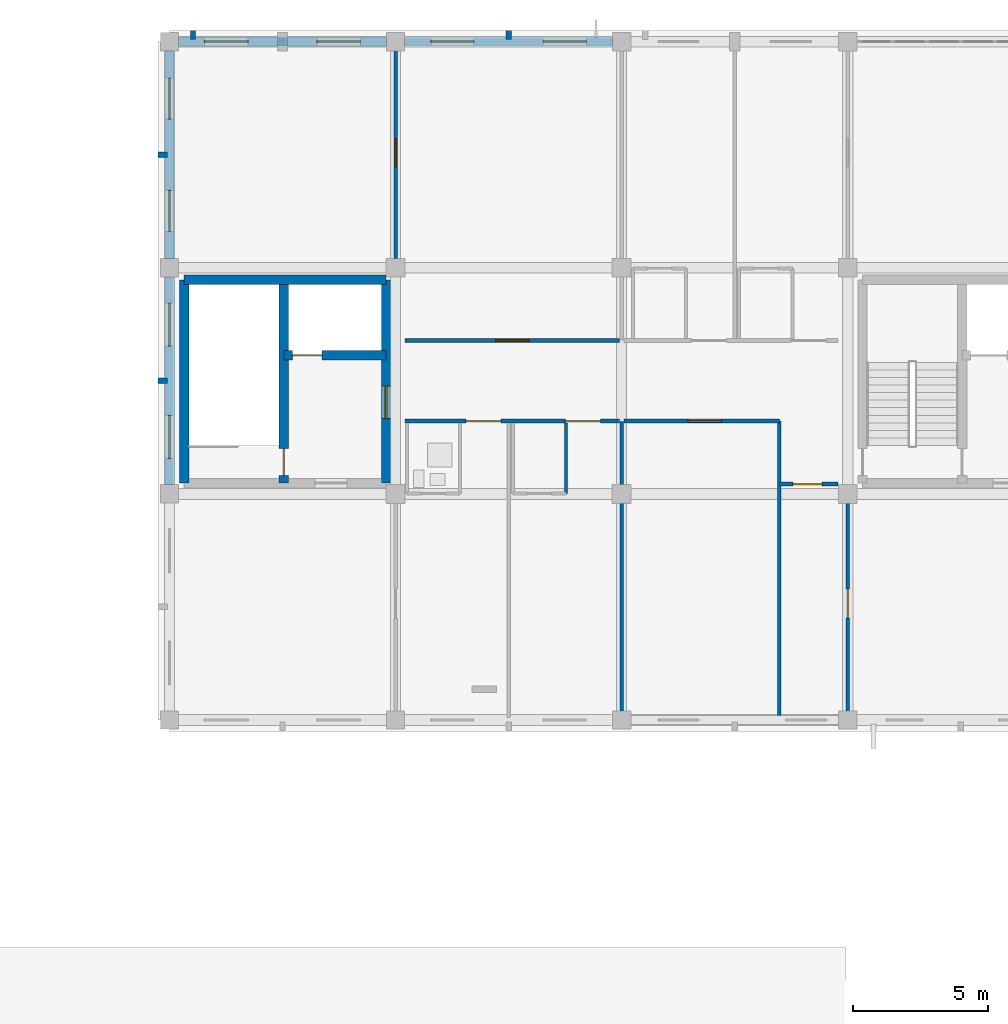
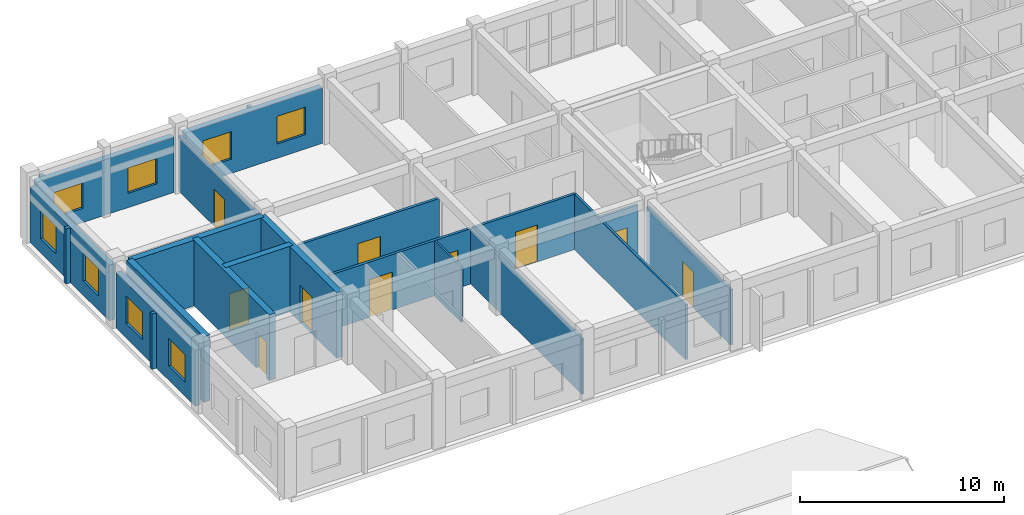
# One storey, part 116 of 140: 22 walls, 10 doors, 8 windows, 18 openings.
"""IFC4 building model written with IfcOpenShell, lengths in metres."""

from ifc_helpers import new_model, si_unit, direction, frame, frame_2d, origin, place, context, subcontext, project, spatial, rectangle, extrude, material, layer, layer_set, type_object, element, fill, save


model = new_model("IFC4")

# Units and contexts
model_context = context("Model", 3, precision=1e-05, world=origin(), true_north=direction((0.0, 1.0)))
body_context = subcontext(model_context, "Body", "Model", "MODEL_VIEW")
ifc_project = project(units=[si_unit("LENGTHUNIT", "METRE"), si_unit("AREAUNIT", "SQUARE_METRE"), si_unit("VOLUMEUNIT", "CUBIC_METRE"), si_unit("PLANEANGLEUNIT", "RADIAN"), si_unit("MASSUNIT", "GRAM", prefix="KILO")], contexts=[model_context])

# Site, building, storey
site_placement = place(None, origin())
site = spatial("IfcSite", under=ifc_project, at=site_placement, CompositionType="ELEMENT")
building_placement = place(site_placement, origin())
building = spatial("IfcBuilding", under=site, at=building_placement, Name="Trelvath General Hospital", CompositionType="ELEMENT")
storey_placement = place(building_placement, frame((0.0, 0.0, 16.199951171875)))
storey = spatial("IfcBuildingStorey", under=building, at=storey_placement, Name="L04", CompositionType="ELEMENT", Elevation=16.199951171875)

# Walls
ifc_material_1 = material(Name="Precast concrete C40/50", Category="concrete")
ifc_layer_1 = layer(ifc_material_1, 0.199951171875)
ifc_layer_set_1 = layer_set([ifc_layer_1], Name="Precast concrete C40/50")
wall_type_1 = type_object("IfcWallType", Name="BriseSoleilRib 200", PredefinedType="ELEMENTEDWALL", material=ifc_layer_set_1)
wall_1_placement = place(storey_placement, frame((16.72509765625, 105.0, 0.0), z_axis=(0.0, 0.0, 1.0), x_axis=(-1.0, 0.0, 0.0)))
element("IfcWall", 1, at=wall_1_placement, inside=storey, type_object=wall_type_1, Name="Precast Concrete Brise-Soleil Rib Fin L04-309", PredefinedType="ELEMENTEDWALL", context=body_context, shape_type="SweptSolid", body=[
    extrude(rectangle(XDim=0.340087890625, YDim=0.199951171875, at=frame_2d((0.169921875, 0.0))), origin(), (0.0, 0.0, 1.0), 3.300048828125),
])
wall_2_placement = place(storey_placement, frame((17.676025390625, 117.675048828125, 0.0), z_axis=(0.0, 0.0, 1.0), x_axis=(0.0, 1.0, 0.0)))
element("IfcWall", 2, at=wall_2_placement, inside=storey, type_object=wall_type_1, Name="Precast Concrete Brise-Soleil Rib Fin L04-310", PredefinedType="ELEMENTEDWALL", context=body_context, shape_type="SweptSolid", body=[
    extrude(rectangle(XDim=0.33984375, YDim=0.199951171875, at=frame_2d((0.169921875, 0.0))), origin(), (0.0, 0.0, 1.0), 3.300048828125),
])
wall_3_placement = place(storey_placement, frame((16.72509765625, 113.39990234375, 0.0), z_axis=(0.0, 0.0, 1.0), x_axis=(-1.0, 0.0, 0.0)))
element("IfcWall", 3, at=wall_3_placement, inside=storey, type_object=wall_type_1, Name="Precast Concrete Brise-Soleil Rib Fin L04-311", PredefinedType="ELEMENTEDWALL", context=body_context, shape_type="SweptSolid", body=[
    extrude(rectangle(XDim=0.340087890625, YDim=0.199951171875, at=frame_2d((0.169921875, 0.0))), origin(), (0.0, 0.0, 1.0), 3.300048828125),
])
wall_4_placement = place(storey_placement, frame((29.39990234375, 117.675048828125, 0.0), z_axis=(0.0, 0.0, 1.0), x_axis=(0.0, 1.0, 0.0)))
element("IfcWall", 4, at=wall_4_placement, inside=storey, type_object=wall_type_1, Name="Precast Concrete Brise-Soleil Rib Fin L04-315", PredefinedType="ELEMENTEDWALL", context=body_context, shape_type="SweptSolid", body=[
    extrude(rectangle(XDim=0.33984375, YDim=0.199951171875, at=frame_2d((0.169921875, 0.0))), origin(), (0.0, 0.0, 1.0), 3.300048828125),
])

# Wall, openings, doors
ifc_material_2 = material(Name="Gypsum acoustic steel-stud partition", Category="steel")
ifc_layer_2 = layer(ifc_material_2, 0.14990234375)
ifc_layer_set_2 = layer_set([ifc_layer_2], Name="Gypsum acoustic steel-stud partition")
wall_type_2 = type_object("IfcWallType", Name="ClinicalPartition 150", PredefinedType="PARTITIONING", material=ifc_layer_set_2)
wall_5_placement = place(storey_placement, frame((25.56005859375, 103.5, 0.0), z_axis=(0.0, 0.0, 1.0), x_axis=(1.0, 0.0, 0.0)))
wall_5 = element("IfcWall", 5, at=wall_5_placement, inside=storey, type_object=wall_type_2, Name="Corridor Partition L04-1547", PredefinedType="PARTITIONING", context=body_context, shape_type="SweptSolid", body=[
    extrude(rectangle(XDim=7.9599609375, YDim=0.14990234375, at=frame_2d((3.97998046875, 0.0))), origin(), (0.0, 0.0, 1.0), 3.300048828125),
])
opening_1_placement = place(wall_5_placement, frame((2.25, 0.0, 0.0)))
opening_1 = element("IfcOpeningElement", 6, at=opening_1_placement, cuts=wall_5, Name="Opening D-4-1064", PredefinedType="OPENING", context=body_context, shape_type="SweptSolid", body=[
    extrude(rectangle(XDim=1.300048828125, YDim=2.25, at=frame_2d((0.64990234375, 1.125))), frame((0.0, 0.0849609375, 0.0), z_axis=(0.0, -1.0, 0.0), x_axis=(1.0, 0.0, 0.0)), (0.0, 0.0, 1.0), 0.169921875),
])
opening_2_placement = place(wall_5_placement, frame((5.949951171875, 0.0, 0.0)))
opening_2 = element("IfcOpeningElement", 7, at=opening_2_placement, cuts=wall_5, Name="Opening D-4-1065", PredefinedType="OPENING", context=body_context, shape_type="SweptSolid", body=[
    extrude(rectangle(XDim=1.300048828125, YDim=2.25, at=frame_2d((0.64990234375, 1.125))), frame((0.0, 0.0849609375, 0.0), z_axis=(0.0, -1.0, 0.0), x_axis=(1.0, 0.0, 0.0)), (0.0, 0.0, 1.0), 0.169921875),
])
ifc_material_3 = material(Name="Hospital bed-leaf timber door", Category="wood")
door_type_1 = type_object("IfcDoorType", Name="Door PatientBed 1300x2250", OperationType="NOTDEFINED", PredefinedType="DOOR", material=ifc_material_3)
door_1_placement = place(opening_1_placement, origin())
door_1 = element("IfcDoor", 8, at=door_1_placement, inside=storey, type_object=door_type_1, Name="Patient Room Door L04-1064", OperationType="SINGLE_SWING_RIGHT", OverallHeight=2.25, OverallWidth=1.300048828125, PredefinedType="DOOR", context=body_context, shape_type="SweptSolid", body=[
    extrude(rectangle(XDim=1.300048828125, YDim=2.25, at=frame_2d((0.64990234375, 1.125))), frame((0.0, 0.02490234375, 0.0), z_axis=(0.0, -1.0, 0.0), x_axis=(1.0, 0.0, 0.0)), (0.0, 0.0, 1.0), 0.050048828125),
])
fill(opening_1, door_1)
door_2_placement = place(opening_2_placement, origin())
door_2 = element("IfcDoor", 9, at=door_2_placement, inside=storey, type_object=door_type_1, Name="Patient Room Door L04-1065", OperationType="SINGLE_SWING_LEFT", OverallHeight=2.25, OverallWidth=1.300048828125, PredefinedType="DOOR", context=body_context, shape_type="SweptSolid", body=[
    extrude(rectangle(XDim=1.300048828125, YDim=2.25, at=frame_2d((0.64990234375, 1.125))), frame((0.0, 0.02490234375, 0.0), z_axis=(0.0, -1.0, 0.0), x_axis=(1.0, 0.0, 0.0)), (0.0, 0.0, 1.0), 0.050048828125),
])
fill(opening_2, door_2)

# Wall, opening, door
wall_6_placement = place(storey_placement, frame((33.52001953125, 106.5, 0.0), z_axis=(0.0, 0.0, 1.0), x_axis=(-1.0, 0.0, 0.0)))
wall_6 = element("IfcWall", 10, at=wall_6_placement, inside=storey, type_object=wall_type_2, Name="Corridor Partition N L04-1556", PredefinedType="PARTITIONING", context=body_context, shape_type="SweptSolid", body=[
    extrude(rectangle(XDim=7.9599609375, YDim=0.14990234375, at=frame_2d((3.97998046875, 0.0))), origin(), (0.0, 0.0, 1.0), 3.300048828125),
])
opening_3_placement = place(wall_6_placement, frame((3.35498046875, 0.0, 0.0)))
opening_3 = element("IfcOpeningElement", 11, at=opening_3_placement, cuts=wall_6, Name="Opening D-4-1068", PredefinedType="OPENING", context=body_context, shape_type="SweptSolid", body=[
    extrude(rectangle(XDim=1.25, YDim=2.199951171875, at=frame_2d((0.625, 1.10009765625))), frame((0.0, 0.0849609375, 0.0), z_axis=(0.0, -1.0, 0.0), x_axis=(1.0, 0.0, 0.0)), (0.0, 0.0, 1.0), 0.169921875),
])
ifc_material_4 = material(Name="Acoustic hospital timber leaf", Category="wood")
door_type_2 = type_object("IfcDoorType", Name="Door Treatment 1250x2200", OperationType="NOTDEFINED", PredefinedType="DOOR", material=ifc_material_4)
door_3_placement = place(opening_3_placement, origin())
door_3 = element("IfcDoor", 12, at=door_3_placement, inside=storey, type_object=door_type_2, Name="Clinical Room Door L04-1068", OperationType="SINGLE_SWING_RIGHT", OverallHeight=2.199951171875, OverallWidth=1.25, PredefinedType="DOOR", context=body_context, shape_type="SweptSolid", body=[
    extrude(rectangle(XDim=1.25, YDim=2.199951171875, at=frame_2d((0.625, 1.10009765625))), frame((0.0, 0.02490234375, 0.0), z_axis=(0.0, -1.0, 0.0), x_axis=(1.0, 0.0, 0.0)), (0.0, 0.0, 1.0), 0.050048828125),
])
fill(opening_3, door_3)

wall_7_placement = place(storey_placement, frame((33.679931640625, 103.5, 0.0), z_axis=(0.0, 0.0, 1.0), x_axis=(1.0, 0.0, 0.0)))
wall_7 = element("IfcWall", 13, at=wall_7_placement, inside=storey, type_object=wall_type_2, Name="Nurse Station Partition L04-1559", PredefinedType="PARTITIONING", context=body_context, shape_type="SweptSolid", body=[
    extrude(rectangle(XDim=5.780029296875, YDim=0.14990234375, at=frame_2d((2.89013671875, 0.0))), origin(), (0.0, 0.0, 1.0), 3.300048828125),
])
opening_4_placement = place(wall_7_placement, frame((2.3798828125, 0.0, 0.0)))
opening_4 = element("IfcOpeningElement", 14, at=opening_4_placement, cuts=wall_7, Name="Opening D-4-1069", PredefinedType="OPENING", context=body_context, shape_type="SweptSolid", body=[
    extrude(rectangle(XDim=1.25, YDim=2.199951171875, at=frame_2d((0.625, 1.10009765625))), frame((0.0, 0.0849609375, 0.0), z_axis=(0.0, -1.0, 0.0), x_axis=(1.0, 0.0, 0.0)), (0.0, 0.0, 1.0), 0.169921875),
])
door_4_placement = place(opening_4_placement, origin())
door_4 = element("IfcDoor", 15, at=door_4_placement, inside=storey, type_object=door_type_2, Name="Nurse Station Door L04-1069", OperationType="SINGLE_SWING_LEFT", OverallHeight=2.199951171875, OverallWidth=1.25, PredefinedType="DOOR", context=body_context, shape_type="SweptSolid", body=[
    extrude(rectangle(XDim=1.25, YDim=2.199951171875, at=frame_2d((0.625, 1.10009765625))), frame((0.0, 0.02490234375, 0.0), z_axis=(0.0, -1.0, 0.0), x_axis=(1.0, 0.0, 0.0)), (0.0, 0.0, 1.0), 0.050048828125),
])
fill(opening_4, door_4)

wall_8_placement = place(storey_placement, frame((39.4599609375, 101.159912109375, 0.0), z_axis=(0.0, 0.0, 1.0), x_axis=(1.0, 0.0, 0.0)))
wall_8 = element("IfcWall", 16, at=wall_8_placement, inside=storey, type_object=wall_type_2, Name="Clean Utility Partition L04-1561", PredefinedType="PARTITIONING", context=body_context, shape_type="SweptSolid", body=[
    extrude(rectangle(XDim=2.179931640625, YDim=0.14990234375, at=frame_2d((1.08984375, 0.0))), origin(), (0.0, 0.0, 1.0), 3.300048828125),
])
opening_5_placement = place(wall_8_placement, frame((0.5, 0.0, 0.0)))
opening_5 = element("IfcOpeningElement", 17, at=opening_5_placement, cuts=wall_8, Name="Opening D-4-1070", PredefinedType="OPENING", context=body_context, shape_type="SweptSolid", body=[
    extrude(rectangle(XDim=1.080078125, YDim=2.14990234375, at=frame_2d((0.5400390625, 1.074951171875))), frame((0.0, 0.0849609375, 0.0), z_axis=(0.0, -1.0, 0.0), x_axis=(1.0, 0.0, 0.0)), (0.0, 0.0, 1.0), 0.169921875),
])
ifc_material_5 = material(Name="Acoustic hospital timber leaf", Category="wood")
door_type_3 = type_object("IfcDoorType", Name="Door CleanSupply 1080x2150", OperationType="NOTDEFINED", PredefinedType="DOOR", material=ifc_material_5)
door_5_placement = place(opening_5_placement, origin())
door_5 = element("IfcDoor", 18, at=door_5_placement, inside=storey, type_object=door_type_3, Name="Clean Utility Door L04-1070", OperationType="SINGLE_SWING_RIGHT", OverallHeight=2.14990234375, OverallWidth=1.080078125, PredefinedType="DOOR", context=body_context, shape_type="SweptSolid", body=[
    extrude(rectangle(XDim=1.080078125, YDim=2.14990234375, at=frame_2d((0.5400390625, 1.074951171875))), frame((0.0, 0.02490234375, 0.0), z_axis=(0.0, -1.0, 0.0), x_axis=(1.0, 0.0, 0.0)), (0.0, 0.0, 1.0), 0.050048828125),
])
fill(opening_5, door_5)

# Walls
ifc_material_6 = material(Name="Concrete C40/50", Category="concrete")
ifc_layer_3 = layer(ifc_material_6, 0.35009765625)
ifc_layer_set_3 = layer_set([ifc_layer_3], Name="Concrete C40/50")
wall_type_3 = type_object("IfcWallType", Name="CoreShearWall 350", PredefinedType="SHEAR", material=ifc_layer_set_3)
wall_9_placement = place(storey_placement, frame((17.35009765625, 108.75, 0.0), z_axis=(0.0, 0.0, 1.0), x_axis=(1.0, 0.0, 0.0)))
element("IfcWall", 19, at=wall_9_placement, inside=storey, type_object=wall_type_3, Name="Core Shear Wall C3 N L04", PredefinedType="SHEAR", context=body_context, shape_type="SweptSolid", body=[
    extrude(rectangle(XDim=7.5, YDim=0.35009765625, at=frame_2d((3.75, 0.0))), origin(), (0.0, 0.0, 1.0), 3.920166015625),
])
wall_10_placement = place(storey_placement, frame((17.35009765625, 101.199951171875, 0.0), z_axis=(0.0, 0.0, 1.0), x_axis=(0.0, 1.0, 0.0)))
element("IfcWall", 20, at=wall_10_placement, inside=storey, type_object=wall_type_3, Name="Core Shear Wall C3 W L04", PredefinedType="SHEAR", context=body_context, shape_type="SweptSolid", body=[
    extrude(rectangle(XDim=7.550048828125, YDim=0.35009765625, at=frame_2d((3.77490234375, 0.0))), origin(), (0.0, 0.0, 1.0), 3.920166015625),
])

# Wall, opening, door
wall_11_placement = place(storey_placement, frame((24.85009765625, 101.199951171875, 0.0), z_axis=(0.0, 0.0, 1.0), x_axis=(0.0, 1.0, 0.0)))
wall_11 = element("IfcWall", 21, at=wall_11_placement, inside=storey, type_object=wall_type_3, Name="Core Shear Wall C3 E L04", PredefinedType="SHEAR", context=body_context, shape_type="SweptSolid", body=[
    extrude(rectangle(XDim=7.550048828125, YDim=0.35009765625, at=frame_2d((3.77490234375, 0.0))), origin(), (0.0, 0.0, 1.0), 3.920166015625),
])
opening_6_placement = place(wall_11_placement, frame((2.39990234375, 0.0, 0.0)))
opening_6 = element("IfcOpeningElement", 22, at=opening_6_placement, cuts=wall_11, Name="Opening FD-LE34", PredefinedType="OPENING", context=body_context, shape_type="SweptSolid", body=[
    extrude(rectangle(XDim=1.199951171875, YDim=2.199951171875, at=frame_2d((0.60009765625, 1.10009765625))), frame((0.0, 0.18505859375, 0.0), z_axis=(0.0, -1.0, 0.0), x_axis=(1.0, 0.0, 0.0)), (0.0, 0.0, 1.0), 0.3701171875),
])
ifc_material_7 = material(Name="Fire-rated steel door", Category="steel")
door_type_4 = type_object("IfcDoorType", Name="Door FireLobby 1200x2200", OperationType="NOTDEFINED", PredefinedType="DOOR", material=ifc_material_7)
door_6_placement = place(opening_6_placement, origin())
door_6 = element("IfcDoor", 23, at=door_6_placement, inside=storey, type_object=door_type_4, Name="Fire Lobby East Corridor Door C3 L04", OperationType="SINGLE_SWING_LEFT", OverallHeight=2.199951171875, OverallWidth=1.199951171875, PredefinedType="DOOR", context=body_context, shape_type="SweptSolid", body=[
    extrude(rectangle(XDim=1.199951171875, YDim=2.199951171875, at=frame_2d((0.60009765625, 1.10009765625))), frame((0.0, 0.02490234375, 0.0), z_axis=(0.0, -1.0, 0.0), x_axis=(1.0, 0.0, 0.0)), (0.0, 0.0, 1.0), 0.050048828125),
])
fill(opening_6, door_6)

wall_12_placement = place(storey_placement, frame((21.050048828125, 101.199951171875, 0.0), z_axis=(0.0, 0.0, 1.0), x_axis=(0.0, 1.0, 0.0)))
wall_12 = element("IfcWall", 24, at=wall_12_placement, inside=storey, type_object=wall_type_3, Name="Core Shear Wall C3 SPINE L04", PredefinedType="SHEAR", context=body_context, shape_type="SweptSolid", body=[
    extrude(rectangle(XDim=7.550048828125, YDim=0.35009765625, at=frame_2d((3.77490234375, 0.0))), origin(), (0.0, 0.0, 1.0), 3.920166015625),
])
opening_7_placement = place(wall_12_placement, frame((0.280029296875, 0.0, 0.0)))
opening_7 = element("IfcOpeningElement", 25, at=opening_7_placement, cuts=wall_12, Name="Opening FD-S34", PredefinedType="OPENING", context=body_context, shape_type="SweptSolid", body=[
    extrude(rectangle(XDim=1.0, YDim=2.14990234375, at=frame_2d((0.5, 1.074951171875))), frame((0.0, 0.18505859375, 0.0), z_axis=(0.0, -1.0, 0.0), x_axis=(1.0, 0.0, 0.0)), (0.0, 0.0, 1.0), 0.3701171875),
])
ifc_material_8 = material(Name="Fire-rated steel door", Category="steel")
door_type_5 = type_object("IfcDoorType", Name="Door FireStair 1100x2150", OperationType="NOTDEFINED", PredefinedType="DOOR", material=ifc_material_8)
door_7_placement = place(opening_7_placement, origin())
door_7 = element("IfcDoor", 26, at=door_7_placement, inside=storey, type_object=door_type_5, Name="Exit Stair Door ST3 L04", OperationType="SINGLE_SWING_LEFT", OverallHeight=2.14990234375, OverallWidth=1.0, PredefinedType="DOOR", context=body_context, shape_type="SweptSolid", body=[
    extrude(rectangle(XDim=1.0, YDim=2.14990234375, at=frame_2d((0.5, 1.074951171875))), frame((0.0, 0.02490234375, 0.0), z_axis=(0.0, -1.0, 0.0), x_axis=(1.0, 0.0, 0.0)), (0.0, 0.0, 1.0), 0.050048828125),
])
fill(opening_7, door_7)

wall_13_placement = place(storey_placement, frame((21.050048828125, 105.949951171875, 0.0), z_axis=(0.0, 0.0, 1.0), x_axis=(1.0, 0.0, 0.0)))
wall_13 = element("IfcWall", 27, at=wall_13_placement, inside=storey, type_object=wall_type_3, Name="Core Shear Wall C3 SHAFT L04", PredefinedType="SHEAR", context=body_context, shape_type="SweptSolid", body=[
    extrude(rectangle(XDim=3.800048828125, YDim=0.35009765625, at=frame_2d((1.89990234375, 0.0))), origin(), (0.0, 0.0, 1.0), 3.920166015625),
])
opening_8_placement = place(wall_13_placement, frame((0.320068359375, 0.0, 0.0)))
opening_8 = element("IfcOpeningElement", 28, at=opening_8_placement, cuts=wall_13, Name="Opening LD-CL1-4", PredefinedType="OPENING", context=body_context, shape_type="SweptSolid", body=[
    extrude(rectangle(XDim=1.10009765625, YDim=2.14990234375, at=frame_2d((0.550048828125, 1.074951171875))), frame((0.0, 0.18505859375, 0.0), z_axis=(0.0, -1.0, 0.0), x_axis=(1.0, 0.0, 0.0)), (0.0, 0.0, 1.0), 0.3701171875),
])
ifc_material_9 = material(Name="Stainless steel lift landing sliding door", Category="steel")
door_type_6 = type_object("IfcDoorType", Name="Door LiftLanding 1100x2150", OperationType="SLIDING_TO_LEFT", PredefinedType="DOOR", material=ifc_material_9)
door_8_placement = place(opening_8_placement, origin())
door_8 = element("IfcDoor", 29, at=door_8_placement, inside=storey, type_object=door_type_6, Name="Lift Landing Sliding Door LF-CL1 L04", OperationType="SLIDING_TO_LEFT", OverallHeight=2.14990234375, OverallWidth=1.10009765625, PredefinedType="DOOR", context=body_context, shape_type="SweptSolid", body=[
    extrude(rectangle(XDim=1.10009765625, YDim=2.14990234375, at=frame_2d((0.550048828125, 1.074951171875))), frame((0.0, 0.02490234375, 0.0), z_axis=(0.0, -1.0, 0.0), x_axis=(1.0, 0.0, 0.0)), (0.0, 0.0, 1.0), 0.050048828125),
])
fill(opening_8, door_8)

# Wall
ifc_material_10 = material(Name="Moisture-resistant tile partition")
ifc_layer_4 = layer(ifc_material_10, 0.110107421875)
ifc_layer_set_4 = layer_set([ifc_layer_4], Name="Moisture-resistant tile partition")
wall_type_4 = type_object("IfcWallType", Name="EnSuiteWetWall 110", PredefinedType="PARTITIONING", material=ifc_layer_set_4)
wall_14_placement = place(storey_placement, frame((31.5400390625, 100.820068359375, 0.0), z_axis=(0.0, 0.0, 1.0), x_axis=(0.0, 1.0, 0.0)))
element("IfcWall", 30, at=wall_14_placement, inside=storey, type_object=wall_type_4, Name="En-Suite E Wall L04-1553", PredefinedType="PARTITIONING", context=body_context, shape_type="SweptSolid", body=[
    extrude(rectangle(XDim=2.60986328125, YDim=0.110107421875, at=frame_2d((1.304931640625, 0.0))), origin(), (0.0, 0.0, 1.0), 3.300048828125),
])

# Wall, openings, windows
ifc_material_11 = material(Name="Concrete C35/45", Category="concrete")
ifc_layer_5 = layer(ifc_material_11, 0.320068359375)
ifc_layer_set_5 = layer_set([ifc_layer_5], Name="Concrete C35/45")
wall_type_5 = type_object("IfcWallType", Name="ExtThermalWall 320", PredefinedType="SOLIDWALL", material=ifc_layer_set_5)
wall_15_placement = place(storey_placement, frame((16.800048828125, 101.135009765625, 0.0), z_axis=(0.0, 0.0, 1.0), x_axis=(0.0, 1.0, 0.0)))
wall_15 = element("IfcWall", 31, at=wall_15_placement, inside=storey, type_object=wall_type_5, Name="Exterior Concrete Wall L04-427", PredefinedType="SOLIDWALL", context=body_context, shape_type="SweptSolid", body=[
    extrude(rectangle(XDim=7.72998046875, YDim=0.320068359375, at=frame_2d((3.864990234375, 0.0))), origin(), (0.0, 0.0, 1.0), 3.320068359375),
])
opening_9_placement = place(wall_15_placement, frame((0.977783203125, 0.0, 0.85009765625)))
opening_9 = element("IfcOpeningElement", 32, at=opening_9_placement, cuts=wall_15, Name="Opening WN-4-703", PredefinedType="OPENING", context=body_context, shape_type="SweptSolid", body=[
    extrude(rectangle(XDim=1.60009765625, YDim=1.64990234375, at=frame_2d((0.800048828125, 0.824951171875))), frame((0.0, 0.169921875, 0.0), z_axis=(0.0, -1.0, 0.0), x_axis=(1.0, 0.0, 0.0)), (0.0, 0.0, 1.0), 0.340087890625),
])
opening_10_placement = place(wall_15_placement, frame((5.152099609375, 0.0, 0.85009765625)))
opening_10 = element("IfcOpeningElement", 33, at=opening_10_placement, cuts=wall_15, Name="Opening WN-4-704", PredefinedType="OPENING", context=body_context, shape_type="SweptSolid", body=[
    extrude(rectangle(XDim=1.60009765625, YDim=1.64990234375, at=frame_2d((0.800048828125, 0.824951171875))), frame((0.0, 0.169921875, 0.0), z_axis=(0.0, -1.0, 0.0), x_axis=(1.0, 0.0, 0.0)), (0.0, 0.0, 1.0), 0.340087890625),
])
ifc_material_12 = material(Name="Low-E laminated glass", Category="glass")
window_type_1 = type_object("IfcWindowType", Name="Window WardNorth 1600x1650", PartitioningType="DOUBLE_PANEL_VERTICAL", PredefinedType="WINDOW", material=ifc_material_12)
window_1_placement = place(opening_9_placement, origin())
window_1 = element("IfcWindow", 34, at=window_1_placement, inside=storey, type_object=window_type_1, Name="Solar Reveal Window L04-703", OverallHeight=1.64990234375, OverallWidth=1.60009765625, PartitioningType="SINGLE_PANEL", PredefinedType="WINDOW", context=body_context, shape_type="SweptSolid", body=[
    extrude(rectangle(XDim=1.60009765625, YDim=1.64990234375, at=frame_2d((0.800048828125, 0.824951171875))), frame((0.0, 0.030029296875, 0.0), z_axis=(0.0, -1.0, 0.0), x_axis=(1.0, 0.0, 0.0)), (0.0, 0.0, 1.0), 0.06005859375),
])
fill(opening_9, window_1)
window_2_placement = place(opening_10_placement, origin())
window_2 = element("IfcWindow", 35, at=window_2_placement, inside=storey, type_object=window_type_1, Name="Solar Reveal Window L04-704", OverallHeight=1.64990234375, OverallWidth=1.60009765625, PartitioningType="SINGLE_PANEL", PredefinedType="WINDOW", context=body_context, shape_type="SweptSolid", body=[
    extrude(rectangle(XDim=1.60009765625, YDim=1.64990234375, at=frame_2d((0.800048828125, 0.824951171875))), frame((0.0, 0.030029296875, 0.0), z_axis=(0.0, -1.0, 0.0), x_axis=(1.0, 0.0, 0.0)), (0.0, 0.0, 1.0), 0.06005859375),
])
fill(opening_10, window_2)

wall_16_placement = place(storey_placement, frame((17.135009765625, 117.60009765625, 0.0), z_axis=(0.0, 0.0, 1.0), x_axis=(1.0, 0.0, 0.0)))
wall_16 = element("IfcWall", 36, at=wall_16_placement, inside=storey, type_object=wall_type_5, Name="Exterior Concrete Wall L04-428", PredefinedType="SOLIDWALL", context=body_context, shape_type="SweptSolid", body=[
    extrude(rectangle(XDim=7.72998046875, YDim=0.320068359375, at=frame_2d((3.864990234375, 0.0))), origin(), (0.0, 0.0, 1.0), 3.320068359375),
])
opening_11_placement = place(wall_16_placement, frame((0.968017578125, 0.0, 0.85009765625)))
opening_11 = element("IfcOpeningElement", 37, at=opening_11_placement, cuts=wall_16, Name="Opening WN-4-705", PredefinedType="OPENING", context=body_context, shape_type="SweptSolid", body=[
    extrude(rectangle(XDim=1.6201171875, YDim=1.52001953125, at=frame_2d((0.81005859375, 0.760009765625))), frame((0.0, 0.169921875, 0.0), z_axis=(0.0, -1.0, 0.0), x_axis=(1.0, 0.0, 0.0)), (0.0, 0.0, 1.0), 0.340087890625),
])
opening_12_placement = place(wall_16_placement, frame((5.14208984375, 0.0, 0.85009765625)))
opening_12 = element("IfcOpeningElement", 38, at=opening_12_placement, cuts=wall_16, Name="Opening WN-4-706", PredefinedType="OPENING", context=body_context, shape_type="SweptSolid", body=[
    extrude(rectangle(XDim=1.6201171875, YDim=1.52001953125, at=frame_2d((0.81005859375, 0.760009765625))), frame((0.0, 0.169921875, 0.0), z_axis=(0.0, -1.0, 0.0), x_axis=(1.0, 0.0, 0.0)), (0.0, 0.0, 1.0), 0.340087890625),
])
ifc_material_13 = material(Name="Low-E laminated glass", Category="glass")
window_type_2 = type_object("IfcWindowType", Name="Window Triage 1620x1520", PartitioningType="DOUBLE_PANEL_VERTICAL", PredefinedType="WINDOW", material=ifc_material_13)
window_3_placement = place(opening_11_placement, origin())
window_3 = element("IfcWindow", 39, at=window_3_placement, inside=storey, type_object=window_type_2, Name="Solar Reveal Window L04-705", OverallHeight=1.52001953125, OverallWidth=1.6201171875, PartitioningType="SINGLE_PANEL", PredefinedType="WINDOW", context=body_context, shape_type="SweptSolid", body=[
    extrude(rectangle(XDim=1.6201171875, YDim=1.52001953125, at=frame_2d((0.81005859375, 0.760009765625))), frame((0.0, 0.030029296875, 0.0), z_axis=(0.0, -1.0, 0.0), x_axis=(1.0, 0.0, 0.0)), (0.0, 0.0, 1.0), 0.06005859375),
])
fill(opening_11, window_3)
window_4_placement = place(opening_12_placement, origin())
window_4 = element("IfcWindow", 40, at=window_4_placement, inside=storey, type_object=window_type_2, Name="Solar Reveal Window L04-706", OverallHeight=1.52001953125, OverallWidth=1.6201171875, PartitioningType="SINGLE_PANEL", PredefinedType="WINDOW", context=body_context, shape_type="SweptSolid", body=[
    extrude(rectangle(XDim=1.6201171875, YDim=1.52001953125, at=frame_2d((0.81005859375, 0.760009765625))), frame((0.0, 0.030029296875, 0.0), z_axis=(0.0, -1.0, 0.0), x_axis=(1.0, 0.0, 0.0)), (0.0, 0.0, 1.0), 0.06005859375),
])
fill(opening_12, window_4)

wall_17_placement = place(storey_placement, frame((16.800048828125, 109.534912109375, 0.0), z_axis=(0.0, 0.0, 1.0), x_axis=(0.0, 1.0, 0.0)))
wall_17 = element("IfcWall", 41, at=wall_17_placement, inside=storey, type_object=wall_type_5, Name="Exterior Concrete Wall L04-429", PredefinedType="SOLIDWALL", context=body_context, shape_type="SweptSolid", body=[
    extrude(rectangle(XDim=7.72998046875, YDim=0.320068359375, at=frame_2d((3.864990234375, 0.0))), origin(), (0.0, 0.0, 1.0), 3.320068359375),
])
opening_13_placement = place(wall_17_placement, frame((1.017822265625, 0.0, 0.85009765625)))
opening_13 = element("IfcOpeningElement", 42, at=opening_13_placement, cuts=wall_17, Name="Opening WN-4-707", PredefinedType="OPENING", context=body_context, shape_type="SweptSolid", body=[
    extrude(rectangle(XDim=1.52001953125, YDim=1.64990234375, at=frame_2d((0.760009765625, 0.824951171875))), frame((0.0, 0.169921875, 0.0), z_axis=(0.0, -1.0, 0.0), x_axis=(1.0, 0.0, 0.0)), (0.0, 0.0, 1.0), 0.340087890625),
])
opening_14_placement = place(wall_17_placement, frame((5.192138671875, 0.0, 0.85009765625)))
opening_14 = element("IfcOpeningElement", 43, at=opening_14_placement, cuts=wall_17, Name="Opening WN-4-708", PredefinedType="OPENING", context=body_context, shape_type="SweptSolid", body=[
    extrude(rectangle(XDim=1.52001953125, YDim=1.64990234375, at=frame_2d((0.760009765625, 0.824951171875))), frame((0.0, 0.169921875, 0.0), z_axis=(0.0, -1.0, 0.0), x_axis=(1.0, 0.0, 0.0)), (0.0, 0.0, 1.0), 0.340087890625),
])
ifc_material_14 = material(Name="Low-E laminated glass", Category="glass")
window_type_3 = type_object("IfcWindowType", Name="Window WardNorth 1520x1650", PartitioningType="DOUBLE_PANEL_VERTICAL", PredefinedType="WINDOW", material=ifc_material_14)
window_5_placement = place(opening_13_placement, origin())
window_5 = element("IfcWindow", 44, at=window_5_placement, inside=storey, type_object=window_type_3, Name="Solar Reveal Window L04-707", OverallHeight=1.64990234375, OverallWidth=1.52001953125, PartitioningType="SINGLE_PANEL", PredefinedType="WINDOW", context=body_context, shape_type="SweptSolid", body=[
    extrude(rectangle(XDim=1.52001953125, YDim=1.64990234375, at=frame_2d((0.760009765625, 0.824951171875))), frame((0.0, 0.030029296875, 0.0), z_axis=(0.0, -1.0, 0.0), x_axis=(1.0, 0.0, 0.0)), (0.0, 0.0, 1.0), 0.06005859375),
])
fill(opening_13, window_5)
window_6_placement = place(opening_14_placement, origin())
window_6 = element("IfcWindow", 45, at=window_6_placement, inside=storey, type_object=window_type_3, Name="Solar Reveal Window L04-708", OverallHeight=1.64990234375, OverallWidth=1.52001953125, PartitioningType="SINGLE_PANEL", PredefinedType="WINDOW", context=body_context, shape_type="SweptSolid", body=[
    extrude(rectangle(XDim=1.52001953125, YDim=1.64990234375, at=frame_2d((0.760009765625, 0.824951171875))), frame((0.0, 0.030029296875, 0.0), z_axis=(0.0, -1.0, 0.0), x_axis=(1.0, 0.0, 0.0)), (0.0, 0.0, 1.0), 0.06005859375),
])
fill(opening_14, window_6)

wall_18_placement = place(storey_placement, frame((25.534912109375, 117.60009765625, 0.0), z_axis=(0.0, 0.0, 1.0), x_axis=(1.0, 0.0, 0.0)))
wall_18 = element("IfcWall", 46, at=wall_18_placement, inside=storey, type_object=wall_type_5, Name="Exterior Concrete Wall L04-433", PredefinedType="SOLIDWALL", context=body_context, shape_type="SweptSolid", body=[
    extrude(rectangle(XDim=7.72998046875, YDim=0.320068359375, at=frame_2d((3.864990234375, 0.0))), origin(), (0.0, 0.0, 1.0), 3.320068359375),
])
opening_15_placement = place(wall_18_placement, frame((0.977783203125, 0.0, 0.85009765625)))
opening_15 = element("IfcOpeningElement", 47, at=opening_15_placement, cuts=wall_18, Name="Opening WN-4-715", PredefinedType="OPENING", context=body_context, shape_type="SweptSolid", body=[
    extrude(rectangle(XDim=1.60009765625, YDim=1.64990234375, at=frame_2d((0.800048828125, 0.824951171875))), frame((0.0, 0.169921875, 0.0), z_axis=(0.0, -1.0, 0.0), x_axis=(1.0, 0.0, 0.0)), (0.0, 0.0, 1.0), 0.340087890625),
])
opening_16_placement = place(wall_18_placement, frame((5.152099609375, 0.0, 0.85009765625)))
opening_16 = element("IfcOpeningElement", 48, at=opening_16_placement, cuts=wall_18, Name="Opening WN-4-716", PredefinedType="OPENING", context=body_context, shape_type="SweptSolid", body=[
    extrude(rectangle(XDim=1.60009765625, YDim=1.64990234375, at=frame_2d((0.800048828125, 0.824951171875))), frame((0.0, 0.169921875, 0.0), z_axis=(0.0, -1.0, 0.0), x_axis=(1.0, 0.0, 0.0)), (0.0, 0.0, 1.0), 0.340087890625),
])
window_7_placement = place(opening_15_placement, origin())
window_7 = element("IfcWindow", 49, at=window_7_placement, inside=storey, type_object=window_type_1, Name="Solar Reveal Window L04-715", OverallHeight=1.64990234375, OverallWidth=1.60009765625, PartitioningType="SINGLE_PANEL", PredefinedType="WINDOW", context=body_context, shape_type="SweptSolid", body=[
    extrude(rectangle(XDim=1.60009765625, YDim=1.64990234375, at=frame_2d((0.800048828125, 0.824951171875))), frame((0.0, 0.030029296875, 0.0), z_axis=(0.0, -1.0, 0.0), x_axis=(1.0, 0.0, 0.0)), (0.0, 0.0, 1.0), 0.06005859375),
])
fill(opening_15, window_7)
window_8_placement = place(opening_16_placement, origin())
window_8 = element("IfcWindow", 50, at=window_8_placement, inside=storey, type_object=window_type_1, Name="Solar Reveal Window L04-716", OverallHeight=1.64990234375, OverallWidth=1.60009765625, PartitioningType="SINGLE_PANEL", PredefinedType="WINDOW", context=body_context, shape_type="SweptSolid", body=[
    extrude(rectangle(XDim=1.60009765625, YDim=1.64990234375, at=frame_2d((0.800048828125, 0.824951171875))), frame((0.0, 0.030029296875, 0.0), z_axis=(0.0, -1.0, 0.0), x_axis=(1.0, 0.0, 0.0)), (0.0, 0.0, 1.0), 0.06005859375),
])
fill(opening_16, window_8)

# Wall, opening, door
ifc_material_15 = material(Name="Gypsum acoustic steel-stud partition", Category="steel")
ifc_layer_6 = layer(ifc_material_15, 0.1298828125)
ifc_layer_set_6 = layer_set([ifc_layer_6], Name="Gypsum acoustic steel-stud partition")
wall_type_6 = type_object("IfcWallType", Name="WardPartition 130", PredefinedType="PARTITIONING", material=ifc_layer_set_6)
wall_19_placement = place(storey_placement, frame((25.199951171875, 109.550048828125, 0.0), z_axis=(0.0, 0.0, 1.0), x_axis=(0.0, 1.0, 0.0)))
wall_19 = element("IfcWall", 51, at=wall_19_placement, inside=storey, type_object=wall_type_6, Name="Inter-Bay Ward Partition N L04-1546", PredefinedType="PARTITIONING", context=body_context, shape_type="SweptSolid", body=[
    extrude(rectangle(XDim=7.909912109375, YDim=0.1298828125, at=frame_2d((3.955078125, 0.0))), origin(), (0.0, 0.0, 1.0), 3.300048828125),
])
opening_17_placement = place(wall_19_placement, frame((3.39990234375, 0.0, 0.0)))
opening_17 = element("IfcOpeningElement", 52, at=opening_17_placement, cuts=wall_19, Name="Opening D-4-1063", PredefinedType="OPENING", context=body_context, shape_type="SweptSolid", body=[
    extrude(rectangle(XDim=1.050048828125, YDim=2.199951171875, at=frame_2d((0.52490234375, 1.10009765625))), frame((0.0, 0.074951171875, 0.0), z_axis=(0.0, -1.0, 0.0), x_axis=(1.0, 0.0, 0.0)), (0.0, 0.0, 1.0), 0.14990234375),
])
ifc_material_16 = material(Name="Acoustic hospital timber leaf", Category="wood")
door_type_7 = type_object("IfcDoorType", Name="Door Consult 1050x2200", OperationType="NOTDEFINED", PredefinedType="DOOR", material=ifc_material_16)
door_9_placement = place(opening_17_placement, origin())
door_9 = element("IfcDoor", 53, at=door_9_placement, inside=storey, type_object=door_type_7, Name="Consultation Connecting Door L04-1063", OperationType="SINGLE_SWING_LEFT", OverallHeight=2.199951171875, OverallWidth=1.050048828125, PredefinedType="DOOR", context=body_context, shape_type="SweptSolid", body=[
    extrude(rectangle(XDim=1.050048828125, YDim=2.199951171875, at=frame_2d((0.52490234375, 1.10009765625))), frame((0.0, 0.02490234375, 0.0), z_axis=(0.0, -1.0, 0.0), x_axis=(1.0, 0.0, 0.0)), (0.0, 0.0, 1.0), 0.050048828125),
])
fill(opening_17, door_9)

# Walls
for number, where, z_axis, x_axis, name in (
    (54, (33.60009765625, 92.5400390625, 0.0), (0.0, 0.0, 1.0), (0.0, 1.0, 0.0), "Inter-Bay Ward Partition S L04-1557"),
    (55, (39.4599609375, 92.56005859375, 0.0), (0.0, 0.0, 1.0), (0.0, 1.0, 0.0), "Nurse Alcove Partition L04-1560"),
):
    element("IfcWall", number, at=place(storey_placement, frame(where, z_axis=z_axis, x_axis=x_axis)), inside=storey, type_object=wall_type_6, Name=name, PredefinedType="PARTITIONING", context=body_context, shape_type="SweptSolid", body=[
        extrude(rectangle(XDim=10.93994140625, YDim=0.1298828125, at=frame_2d((5.469970703125, 0.0))), origin(), (0.0, 0.0, 1.0), 3.300048828125),
    ])

# Wall, opening, door
wall_20_placement = place(storey_placement, frame((42.0, 92.5400390625, 0.0), z_axis=(0.0, 0.0, 1.0), x_axis=(0.0, 1.0, 0.0)))
wall_20 = element("IfcWall", 56, at=wall_20_placement, inside=storey, type_object=wall_type_6, Name="Inter-Bay Ward Partition S L04-1570", PredefinedType="PARTITIONING", context=body_context, shape_type="SweptSolid", body=[
    extrude(rectangle(XDim=8.2099609375, YDim=0.1298828125, at=frame_2d((4.10498046875, 0.0))), origin(), (0.0, 0.0, 1.0), 3.300048828125),
])
opening_18_placement = place(wall_20_placement, frame((3.639892578125, 0.0, 0.0)))
opening_18 = element("IfcOpeningElement", 57, at=opening_18_placement, cuts=wall_20, Name="Opening D-4-1075", PredefinedType="OPENING", context=body_context, shape_type="SweptSolid", body=[
    extrude(rectangle(XDim=1.080078125, YDim=2.14990234375, at=frame_2d((0.5400390625, 1.074951171875))), frame((0.0, 0.074951171875, 0.0), z_axis=(0.0, -1.0, 0.0), x_axis=(1.0, 0.0, 0.0)), (0.0, 0.0, 1.0), 0.14990234375),
])
door_10_placement = place(opening_18_placement, origin())
door_10 = element("IfcDoor", 58, at=door_10_placement, inside=storey, type_object=door_type_3, Name="Clean Supply Connecting Door L04-1075", OperationType="SINGLE_SWING_RIGHT", OverallHeight=2.14990234375, OverallWidth=1.080078125, PredefinedType="DOOR", context=body_context, shape_type="SweptSolid", body=[
    extrude(rectangle(XDim=1.080078125, YDim=2.14990234375, at=frame_2d((0.5400390625, 1.074951171875))), frame((0.0, 0.02490234375, 0.0), z_axis=(0.0, -1.0, 0.0), x_axis=(1.0, 0.0, 0.0)), (0.0, 0.0, 1.0), 0.050048828125),
])
fill(opening_18, door_10)

save(model, "model.ifc")
